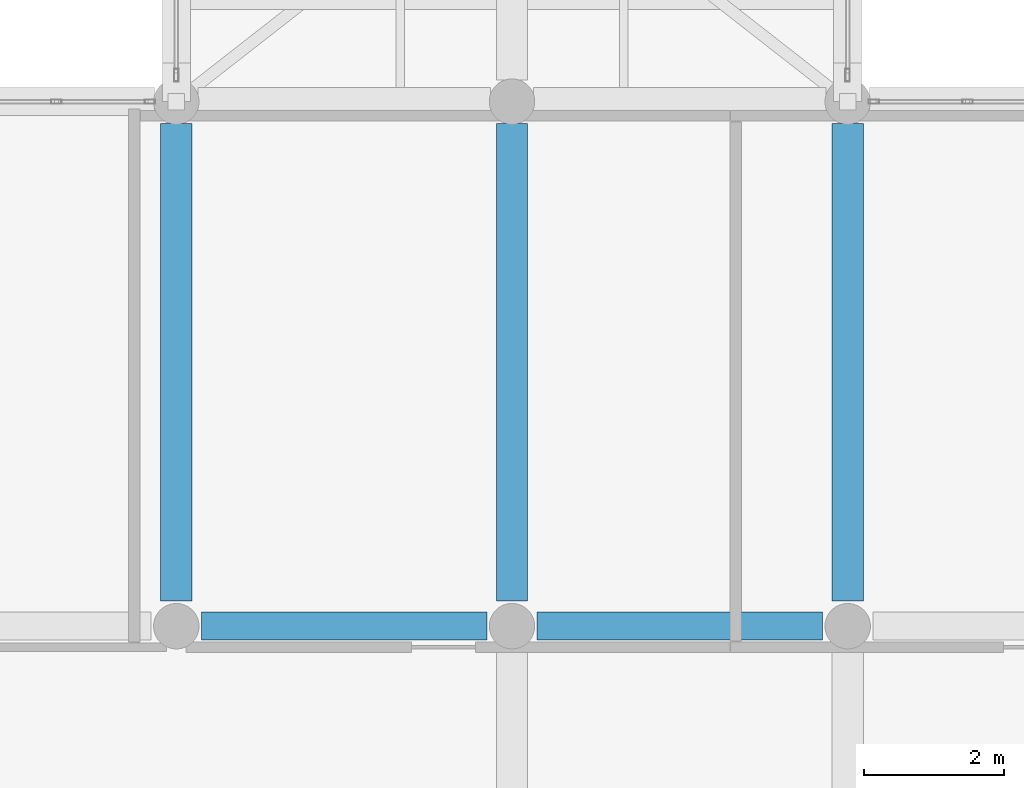
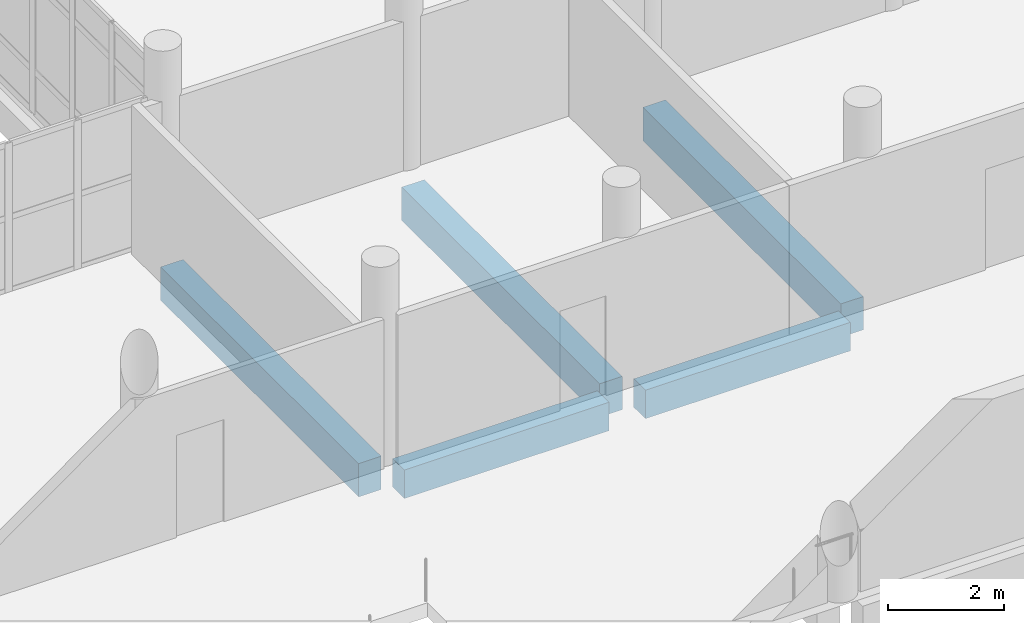
# One storey, part 84 of 164: 5 beams.
"""IFC4 building model written with IfcOpenShell, lengths in metres."""

from ifc_helpers import new_model, si_unit, direction, frame, origin, origin_2d, place, context, subcontext, project, spatial, rectangle, extrude, material, material_profile, profile_set, type_object, element, save


model = new_model("IFC4")

# Units and contexts
model_context = context("Model", 3, precision=1e-05, world=origin(), true_north=direction((0.0, 1.0)))
body_context = subcontext(model_context, "Body", "Model", "MODEL_VIEW")
ifc_project = project(units=[si_unit("LENGTHUNIT", "METRE"), si_unit("AREAUNIT", "SQUARE_METRE"), si_unit("VOLUMEUNIT", "CUBIC_METRE"), si_unit("PLANEANGLEUNIT", "RADIAN"), si_unit("MASSUNIT", "GRAM", prefix="KILO")], contexts=[model_context])

# Site, building, storey
site_placement = place(None, origin())
site = spatial("IfcSite", under=ifc_project, at=site_placement, CompositionType="ELEMENT")
building_placement = place(site_placement, origin())
building = spatial("IfcBuilding", under=site, at=building_placement, Name="Mawjan Specialist Oncology Clinic", CompositionType="ELEMENT")
storey_placement = place(building_placement, frame((0.0, 0.0, 5.0)))
storey = spatial("IfcBuildingStorey", under=building, at=storey_placement, Name="L01", CompositionType="ELEMENT", Elevation=5.0)

# Beams
ifc_material_1 = material(Name="Concrete C40/50", Category="concrete")
ifc_material_profile_1 = material_profile(ifc_material_1, rectangle(XDim=0.39990234375, YDim=0.60009765625, at=origin_2d()), Name="RC BM 400x600", Category="concrete")
ifc_profile_set_1 = profile_set([ifc_material_profile_1], Name="Concrete C40/50")
beam_type_1 = type_object("IfcBeamType", Name="BM-400x600", PredefinedType="BEAM", material=ifc_profile_set_1)
beam_1_placement = place(storey_placement, frame((84.360107421875, 68.300048828125, -0.60009765625), z_axis=(1.0, 0.0, 0.0), x_axis=(0.0, 1.0, 0.0)))
element("IfcBeam", 1, at=beam_1_placement, inside=storey, type_object=beam_type_1, Name="L01 Collector Beam BM-L01-0314", PredefinedType="BEAM", context=body_context, shape_type="SweptSolid", body=[
    extrude(rectangle(XDim=0.39990234375, YDim=0.60009765625, at=origin_2d()), origin(), (0.0, 0.0, 1.0), 4.079833984375),
])
beam_2_placement = place(storey_placement, frame((89.159912109375, 68.300048828125, -0.60009765625), z_axis=(1.0, 0.0, 0.0), x_axis=(0.0, 1.0, 0.0)))
element("IfcBeam", 2, at=beam_2_placement, inside=storey, type_object=beam_type_1, Name="L01 Collector Beam BM-L01-0315", PredefinedType="BEAM", context=body_context, shape_type="SweptSolid", body=[
    extrude(rectangle(XDim=0.39990234375, YDim=0.60009765625, at=origin_2d()), origin(), (0.0, 0.0, 1.0), 4.080078125),
])
ifc_material_2 = material(Name="Concrete C40/50", Category="concrete")
ifc_material_profile_2 = material_profile(ifc_material_2, rectangle(XDim=0.449951171875, YDim=0.699951171875, at=origin_2d()), Name="RC BM 450x700", Category="concrete")
ifc_profile_set_2 = profile_set([ifc_material_profile_2], Name="Concrete C40/50")
beam_type_2 = type_object("IfcBeamType", Name="BM-450x700", PredefinedType="BEAM", material=ifc_profile_set_2)
for number, where, z_axis, x_axis, name in (
    (3, (84.0, 68.659912109375, -0.64990234375), (0.0, 1.0, 0.0), (-1.0, 0.0, 0.0), "L01 Collector Beam BM-L01-0521"),
    (4, (88.800048828125, 68.659912109375, -0.64990234375), (0.0, 1.0, 0.0), (-1.0, 0.0, 0.0), "L01 Collector Beam BM-L01-0529"),
    (5, (93.60009765625, 68.659912109375, -0.64990234375), (0.0, 1.0, 0.0), (-1.0, 0.0, 0.0), "L01 Collector Beam BM-L01-0537"),
):
    element("IfcBeam", number, at=place(storey_placement, frame(where, z_axis=z_axis, x_axis=x_axis)), inside=storey, type_object=beam_type_2, Name=name, PredefinedType="BEAM", context=body_context, shape_type="SweptSolid", body=[
        extrude(rectangle(XDim=0.449951171875, YDim=0.699951171875, at=origin_2d()), origin(), (0.0, 0.0, 1.0), 6.830078125),
    ])

save(model, "model.ifc")
